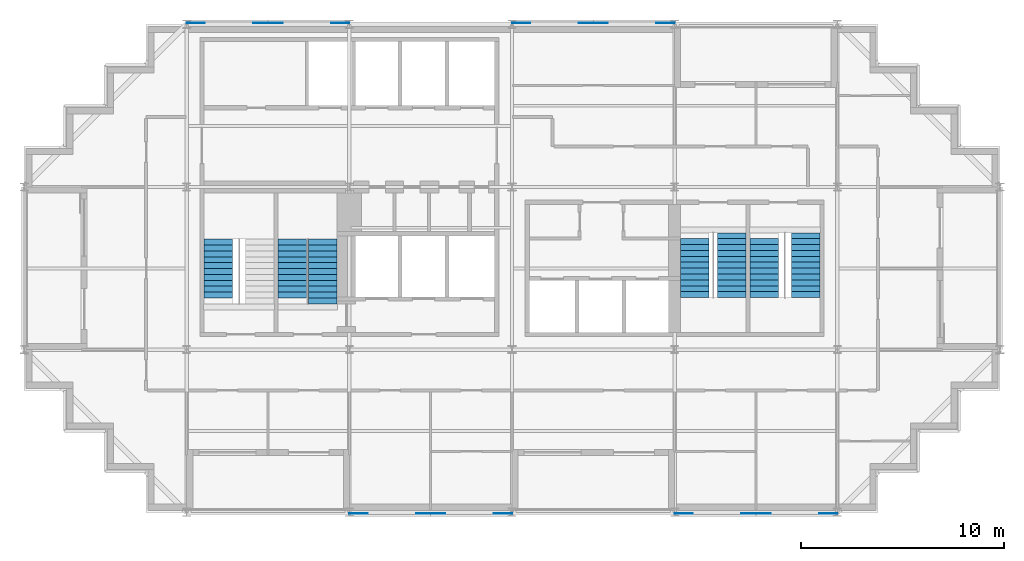
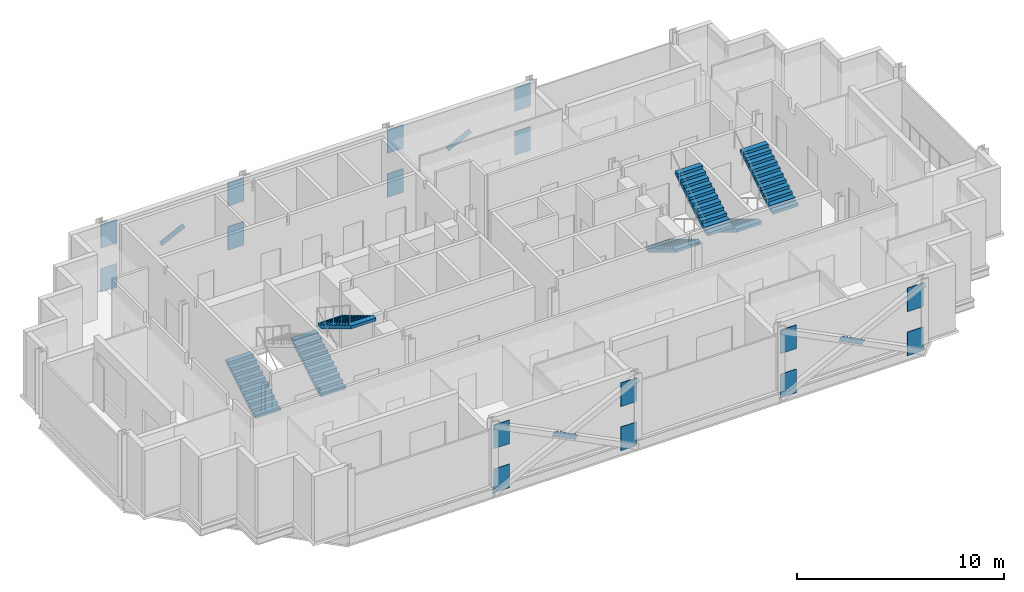
# One storey, part 8 of 9: 20 discrete accessories, 7 stair flights, 4 elements without a shape of their own.
"""IFC4 building model written with IfcOpenShell, lengths in metres."""

from ifc_helpers import new_model, si_unit, direction, frame, origin, origin_2d, place, context, subcontext, project, spatial, polyline, rectangle, outline, extrude, material, material_profile, profile_set, type_object, element, aggregate, save


model = new_model("IFC4")

# Units and contexts
model_context = context("Model", 3, precision=1e-05, world=origin(), true_north=direction((0.0, 1.0)))
body_context = subcontext(model_context, "Body", "Model", "MODEL_VIEW")
ifc_project = project(units=[si_unit("LENGTHUNIT", "METRE"), si_unit("AREAUNIT", "SQUARE_METRE"), si_unit("VOLUMEUNIT", "CUBIC_METRE"), si_unit("PLANEANGLEUNIT", "RADIAN"), si_unit("MASSUNIT", "GRAM", prefix="KILO")], contexts=[model_context])

# Site, building, storey
site_placement = place(None, origin())
site = spatial("IfcSite", under=ifc_project, at=site_placement, CompositionType="ELEMENT")
building_placement = place(site_placement, origin())
building = spatial("IfcBuilding", under=site, at=building_placement, Name="Immortelle Media Tower", CompositionType="ELEMENT")
storey_placement = place(building_placement, frame((0.0, 0.0, 225.0)))
storey = spatial("IfcBuildingStorey", under=building, at=storey_placement, Name="L48", CompositionType="ELEMENT", Elevation=225.0)

# Stair, stair flight
ifc_material_1 = material(Name="Steel ASTM A992 Gr 50", Category="steel")
stair_type = type_object("IfcStairType", Name="Stair with flights", PredefinedType="DOUBLE_RETURN_STAIR", material=ifc_material_1)
stair_1_placement = place(storey_placement, origin())
stair_1 = element("IfcStair", 1, at=stair_1_placement, inside=storey, type_object=stair_type, Name="Exit stair SW1", PredefinedType="DOUBLE_RETURN_STAIR")
stair_flight_type = type_object("IfcStairFlightType", Name="Stair flight 1400", PredefinedType="STRAIGHT", material=ifc_material_1)
stair_flight_1_placement = place(storey_placement, frame((9.550048828125, 10.5400390625, 0.0), z_axis=(0.0, 0.0, 1.0), x_axis=(0.0, 1.0, 0.0)))
stair_flight_1 = element("IfcStairFlight", 2, at=stair_flight_1_placement, type_object=stair_flight_type, Name="ST SW1 flight 1", NumberOfRisers=11, NumberOfTreads=10, PredefinedType="STRAIGHT", RiserHeight=0.173913043, TreadLength=0.29, context=body_context, shape_type="SweptSolid", body=[
    extrude(outline(polyline([(0.0, 0.0), (0.0, 0.173828125), (0.2900390625, 0.173828125), (0.2900390625, 0.347900390625), (0.580078125, 0.347900390625), (0.580078125, 0.521728515625), (0.8701171875, 0.521728515625), (0.8701171875, 0.695556640625), (1.159912109375, 0.695556640625), (1.159912109375, 0.86962890625), (1.449951171875, 0.86962890625), (1.449951171875, 1.04345703125), (1.739990234375, 1.04345703125), (1.739990234375, 1.21728515625), (2.030029296875, 1.21728515625), (2.030029296875, 1.391357421875), (2.320068359375, 1.391357421875), (2.320068359375, 1.565185546875), (2.610107421875, 1.565185546875), (2.610107421875, 1.739013671875), (2.89990234375, 1.739013671875), (2.89990234375, 1.9130859375), (2.89990234375, 1.564453125), (0.29150390625, 0.0), (0.0, 0.0)])), frame((0.0, 0.699951171875, 0.0), z_axis=(0.0, -1.0, 0.0), x_axis=(1.0, 0.0, 0.0)), (0.0, 0.0, 1.0), 1.39990234375),
])
aggregate(stair_1, [stair_flight_1])

# Stair, stair flights
stair_2_placement = place(storey_placement, origin())
stair_2 = element("IfcStair", 3, at=stair_2_placement, inside=storey, type_object=stair_type, Name="Exit stair SW2", PredefinedType="DOUBLE_RETURN_STAIR")
stair_flight_2_placement = place(storey_placement, frame((13.199951171875, 10.5400390625, 0.0), z_axis=(0.0, 0.0, 1.0), x_axis=(0.0, 1.0, 0.0)))
stair_flight_2 = element("IfcStairFlight", 4, at=stair_flight_2_placement, type_object=stair_flight_type, Name="ST SW2 flight 1", NumberOfRisers=11, NumberOfTreads=10, PredefinedType="STRAIGHT", RiserHeight=0.173913043, TreadLength=0.29, context=body_context, shape_type="SweptSolid", body=[
    extrude(outline(polyline([(0.0, 0.0), (0.0, 0.173828125), (0.2900390625, 0.173828125), (0.2900390625, 0.347900390625), (0.580078125, 0.347900390625), (0.580078125, 0.521728515625), (0.8701171875, 0.521728515625), (0.8701171875, 0.695556640625), (1.159912109375, 0.695556640625), (1.159912109375, 0.86962890625), (1.449951171875, 0.86962890625), (1.449951171875, 1.04345703125), (1.739990234375, 1.04345703125), (1.739990234375, 1.21728515625), (2.030029296875, 1.21728515625), (2.030029296875, 1.391357421875), (2.320068359375, 1.391357421875), (2.320068359375, 1.565185546875), (2.610107421875, 1.565185546875), (2.610107421875, 1.739013671875), (2.89990234375, 1.739013671875), (2.89990234375, 1.9130859375), (2.89990234375, 1.564453125), (0.29150390625, 0.0), (0.0, 0.0)])), frame((0.0, 0.699951171875, 0.0), z_axis=(0.0, -1.0, 0.0), x_axis=(1.0, 0.0, 0.0)), (0.0, 0.0, 1.0), 1.39990234375),
])
stair_flight_3_placement = place(storey_placement, frame((14.699951171875, 13.43994140625, 1.9130859375), z_axis=(0.0, 0.0, 1.0), x_axis=(0.0, -1.0, 0.0)))
stair_flight_3 = element("IfcStairFlight", 5, at=stair_flight_3_placement, type_object=stair_flight_type, Name="ST SW2 flight 2", NumberOfRisers=12, NumberOfTreads=11, PredefinedType="STRAIGHT", RiserHeight=0.173913043, TreadLength=0.29, context=body_context, shape_type="SweptSolid", body=[
    extrude(outline(polyline([(0.0, 0.0), (0.0, 0.173828125), (0.2900390625, 0.173828125), (0.2900390625, 0.347900390625), (0.580078125, 0.347900390625), (0.580078125, 0.521728515625), (0.8701171875, 0.521728515625), (0.8701171875, 0.695556640625), (1.159912109375, 0.695556640625), (1.159912109375, 0.86962890625), (1.449951171875, 0.86962890625), (1.449951171875, 1.04345703125), (1.739990234375, 1.04345703125), (1.739990234375, 1.21728515625), (2.030029296875, 1.21728515625), (2.030029296875, 1.391357421875), (2.320068359375, 1.391357421875), (2.320068359375, 1.565185546875), (2.610107421875, 1.565185546875), (2.610107421875, 1.739013671875), (2.89990234375, 1.739013671875), (2.89990234375, 1.9130859375), (3.18994140625, 1.9130859375), (3.18994140625, 2.0869140625), (3.18994140625, 1.73828125), (0.29150390625, 0.0), (0.0, 0.0)])), frame((0.0, 0.699951171875, 0.0), z_axis=(0.0, -1.0, 0.0), x_axis=(1.0, 0.0, 0.0)), (0.0, 0.0, 1.0), 1.39990234375),
])
aggregate(stair_2, [stair_flight_2, stair_flight_3])

stair_3_placement = place(storey_placement, origin())
stair_3 = element("IfcStair", 6, at=stair_3_placement, inside=storey, type_object=stair_type, Name="Exit stair SE1", PredefinedType="DOUBLE_RETURN_STAIR")
stair_flight_4_placement = place(storey_placement, frame((33.0, 13.4599609375, 0.0), z_axis=(0.0, 0.0, 1.0), x_axis=(0.0, -1.0, 0.0)))
stair_flight_4 = element("IfcStairFlight", 7, at=stair_flight_4_placement, type_object=stair_flight_type, Name="ST SE1 flight 1", NumberOfRisers=11, NumberOfTreads=10, PredefinedType="STRAIGHT", RiserHeight=0.173913043, TreadLength=0.29, context=body_context, shape_type="SweptSolid", body=[
    extrude(outline(polyline([(0.0, 0.0), (0.0, 0.173828125), (0.2900390625, 0.173828125), (0.2900390625, 0.347900390625), (0.580078125, 0.347900390625), (0.580078125, 0.521728515625), (0.8701171875, 0.521728515625), (0.8701171875, 0.695556640625), (1.159912109375, 0.695556640625), (1.159912109375, 0.86962890625), (1.449951171875, 0.86962890625), (1.449951171875, 1.04345703125), (1.739990234375, 1.04345703125), (1.739990234375, 1.21728515625), (2.030029296875, 1.21728515625), (2.030029296875, 1.391357421875), (2.320068359375, 1.391357421875), (2.320068359375, 1.565185546875), (2.610107421875, 1.565185546875), (2.610107421875, 1.739013671875), (2.89990234375, 1.739013671875), (2.89990234375, 1.9130859375), (2.89990234375, 1.564453125), (0.29150390625, 0.0), (0.0, 0.0)])), frame((0.0, 0.699951171875, 0.0), z_axis=(0.0, -1.0, 0.0), x_axis=(1.0, 0.0, 0.0)), (0.0, 0.0, 1.0), 1.39990234375),
])
stair_flight_5_placement = place(storey_placement, frame((34.800048828125, 10.56005859375, 1.9130859375), z_axis=(0.0, 0.0, 1.0), x_axis=(0.0, 1.0, 0.0)))
stair_flight_5 = element("IfcStairFlight", 8, at=stair_flight_5_placement, type_object=stair_flight_type, Name="ST SE1 flight 2", NumberOfRisers=12, NumberOfTreads=11, PredefinedType="STRAIGHT", RiserHeight=0.173913043, TreadLength=0.29, context=body_context, shape_type="SweptSolid", body=[
    extrude(outline(polyline([(0.0, 0.0), (0.0, 0.173828125), (0.2900390625, 0.173828125), (0.2900390625, 0.347900390625), (0.580078125, 0.347900390625), (0.580078125, 0.521728515625), (0.8701171875, 0.521728515625), (0.8701171875, 0.695556640625), (1.159912109375, 0.695556640625), (1.159912109375, 0.86962890625), (1.449951171875, 0.86962890625), (1.449951171875, 1.04345703125), (1.739990234375, 1.04345703125), (1.739990234375, 1.21728515625), (2.030029296875, 1.21728515625), (2.030029296875, 1.391357421875), (2.320068359375, 1.391357421875), (2.320068359375, 1.565185546875), (2.610107421875, 1.565185546875), (2.610107421875, 1.739013671875), (2.89990234375, 1.739013671875), (2.89990234375, 1.9130859375), (3.18994140625, 1.9130859375), (3.18994140625, 2.0869140625), (3.18994140625, 1.73828125), (0.29150390625, 0.0), (0.0, 0.0)])), frame((0.0, 0.699951171875, 0.0), z_axis=(0.0, -1.0, 0.0), x_axis=(1.0, 0.0, 0.0)), (0.0, 0.0, 1.0), 1.39990234375),
])
aggregate(stair_3, [stair_flight_4, stair_flight_5])

stair_4_placement = place(storey_placement, origin())
stair_4 = element("IfcStair", 9, at=stair_4_placement, inside=storey, type_object=stair_type, Name="Exit stair SE2", PredefinedType="DOUBLE_RETURN_STAIR")
stair_flight_6_placement = place(storey_placement, frame((36.39990234375, 13.4599609375, 0.0), z_axis=(0.0, 0.0, 1.0), x_axis=(0.0, -1.0, 0.0)))
stair_flight_6 = element("IfcStairFlight", 10, at=stair_flight_6_placement, type_object=stair_flight_type, Name="ST SE2 flight 1", NumberOfRisers=11, NumberOfTreads=10, PredefinedType="STRAIGHT", RiserHeight=0.173913043, TreadLength=0.29, context=body_context, shape_type="SweptSolid", body=[
    extrude(outline(polyline([(0.0, 0.0), (0.0, 0.173828125), (0.2900390625, 0.173828125), (0.2900390625, 0.347900390625), (0.580078125, 0.347900390625), (0.580078125, 0.521728515625), (0.8701171875, 0.521728515625), (0.8701171875, 0.695556640625), (1.159912109375, 0.695556640625), (1.159912109375, 0.86962890625), (1.449951171875, 0.86962890625), (1.449951171875, 1.04345703125), (1.739990234375, 1.04345703125), (1.739990234375, 1.21728515625), (2.030029296875, 1.21728515625), (2.030029296875, 1.391357421875), (2.320068359375, 1.391357421875), (2.320068359375, 1.565185546875), (2.610107421875, 1.565185546875), (2.610107421875, 1.739013671875), (2.89990234375, 1.739013671875), (2.89990234375, 1.9130859375), (2.89990234375, 1.564453125), (0.29150390625, 0.0), (0.0, 0.0)])), frame((0.0, 0.699951171875, 0.0), z_axis=(0.0, -1.0, 0.0), x_axis=(1.0, 0.0, 0.0)), (0.0, 0.0, 1.0), 1.39990234375),
])
stair_flight_7_placement = place(storey_placement, frame((38.449951171875, 10.56005859375, 1.9130859375), z_axis=(0.0, 0.0, 1.0), x_axis=(0.0, 1.0, 0.0)))
stair_flight_7 = element("IfcStairFlight", 11, at=stair_flight_7_placement, type_object=stair_flight_type, Name="ST SE2 flight 2", NumberOfRisers=12, NumberOfTreads=11, PredefinedType="STRAIGHT", RiserHeight=0.173913043, TreadLength=0.29, context=body_context, shape_type="SweptSolid", body=[
    extrude(outline(polyline([(0.0, 0.0), (0.0, 0.173828125), (0.2900390625, 0.173828125), (0.2900390625, 0.347900390625), (0.580078125, 0.347900390625), (0.580078125, 0.521728515625), (0.8701171875, 0.521728515625), (0.8701171875, 0.695556640625), (1.159912109375, 0.695556640625), (1.159912109375, 0.86962890625), (1.449951171875, 0.86962890625), (1.449951171875, 1.04345703125), (1.739990234375, 1.04345703125), (1.739990234375, 1.21728515625), (2.030029296875, 1.21728515625), (2.030029296875, 1.391357421875), (2.320068359375, 1.391357421875), (2.320068359375, 1.565185546875), (2.610107421875, 1.565185546875), (2.610107421875, 1.739013671875), (2.89990234375, 1.739013671875), (2.89990234375, 1.9130859375), (3.18994140625, 1.9130859375), (3.18994140625, 2.0869140625), (3.18994140625, 1.73828125), (0.29150390625, 0.0), (0.0, 0.0)])), frame((0.0, 0.699951171875, 0.0), z_axis=(0.0, -1.0, 0.0), x_axis=(1.0, 0.0, 0.0)), (0.0, 0.0, 1.0), 1.39990234375),
])
aggregate(stair_4, [stair_flight_6, stair_flight_7])

# Discrete accessories
ifc_material_2 = material(Name="Steel ASTM A572 Gr 50", Category="steel")
ifc_material_profile_1 = material_profile(ifc_material_2, rectangle(XDim=0.02392578125, YDim=0.304931640625, at=origin_2d()), Name="PL 24 x 305")
ifc_profile_set_1 = profile_set([ifc_material_profile_1], Name="Steel ASTM A572 Gr 50")
discrete_accessory_type_1 = type_object("IfcDiscreteAccessoryType", Name="Crossing plate XP-BR6 1450 x 305 x 24", PredefinedType="USERDEFINED", material=ifc_profile_set_1)
for number, where, z_axis, x_axis, name in (
    (12, (28.6484375, 24.0625, 1.8681640625), (-0.894427191, 0.0, -0.4472135955), (0.0, -1.0, 0.0), "Crossing plate XP-BR6 of Brace D/4-5 A and Brace D/4-5 B"),
    (13, (12.6484375, 24.0625, 1.8681640625), (-0.894427191, 0.0, -0.4472135955), (0.0, -1.0, 0.0), "Crossing plate XP-BR6 of Brace D/2-3 A and Brace D/2-3 B"),
    (14, (19.3515625, -0.0625, 1.8681640625), (0.894427191, 0.0, -0.4472135955), (0.0, 1.0, 0.0), "Crossing plate XP-BR6 of Brace A/3-4 A and Brace A/3-4 B"),
    (15, (35.3515625, -0.0625, 1.8681640625), (0.894427191, 0.0, -0.4472135955), (0.0, 1.0, 0.0), "Crossing plate XP-BR6 of Brace A/5-6 A and Brace A/5-6 B"),
):
    element("IfcDiscreteAccessory", number, at=place(storey_placement, frame(where, z_axis=z_axis, x_axis=x_axis)), inside=storey, type_object=discrete_accessory_type_1, Name=name, ObjectType="CROSSING PLATE", PredefinedType="USERDEFINED", context=body_context, shape_type="SweptSolid", body=[
        extrude(rectangle(XDim=0.02392578125, YDim=0.304931640625, at=origin_2d()), origin(), (0.0, 0.0, 1.0), 1.449951171875),
    ])
ifc_material_profile_2 = material_profile(ifc_material_2, rectangle(XDim=0.031982421875, YDim=1.39990234375, at=origin_2d()), Name="PL 32 x 1400")
ifc_profile_set_2 = profile_set([ifc_material_profile_2], Name="Steel ASTM A572 Gr 50")
discrete_accessory_type_2 = type_object("IfcDiscreteAccessoryType", Name="Gusset plate GP1 900 x 1400 x 32", PredefinedType="USERDEFINED", material=ifc_profile_set_2)
for number, where, z_axis, x_axis, name in (
    (16, (16.0, -0.0625, 0.243896484375), (1.0, 0.0, 0.0), (0.0, 1.0, 0.0), "Gusset plate GP1, lower end of Brace A/3-4 A"),
    (17, (24.0, -0.0625, 2.843994140625), (-1.0, 0.0, 0.0), (0.0, -1.0, 0.0), "Gusset plate GP1, upper end of Brace A/3-4 A"),
    (18, (24.0, -0.0625, 0.243896484375), (-1.0, 0.0, 0.0), (0.0, -1.0, 0.0), "Gusset plate GP1, lower end of Brace A/3-4 B"),
    (19, (16.0, -0.0625, 2.843994140625), (1.0, 0.0, 0.0), (0.0, 1.0, 0.0), "Gusset plate GP1, upper end of Brace A/3-4 B"),
    (20, (32.0, -0.0625, 0.243896484375), (1.0, 0.0, 0.0), (0.0, 1.0, 0.0), "Gusset plate GP1, lower end of Brace A/5-6 A"),
    (21, (40.0, -0.0625, 2.843994140625), (-1.0, 0.0, 0.0), (0.0, -1.0, 0.0), "Gusset plate GP1, upper end of Brace A/5-6 A"),
    (22, (40.0, -0.0625, 0.243896484375), (-1.0, 0.0, 0.0), (0.0, -1.0, 0.0), "Gusset plate GP1, lower end of Brace A/5-6 B"),
    (23, (32.0, -0.0625, 2.843994140625), (1.0, 0.0, 0.0), (0.0, 1.0, 0.0), "Gusset plate GP1, upper end of Brace A/5-6 B"),
    (24, (32.0, 24.0625, 0.243896484375), (-1.0, 0.0, 0.0), (0.0, -1.0, 0.0), "Gusset plate GP1, lower end of Brace D/4-5 A"),
    (25, (24.0, 24.0625, 2.843994140625), (1.0, 0.0, 0.0), (0.0, 1.0, 0.0), "Gusset plate GP1, upper end of Brace D/4-5 A"),
    (26, (24.0, 24.0625, 0.243896484375), (1.0, 0.0, 0.0), (0.0, 1.0, 0.0), "Gusset plate GP1, lower end of Brace D/4-5 B"),
    (27, (32.0, 24.0625, 2.843994140625), (-1.0, 0.0, 0.0), (0.0, -1.0, 0.0), "Gusset plate GP1, upper end of Brace D/4-5 B"),
    (28, (16.0, 24.0625, 0.243896484375), (-1.0, 0.0, 0.0), (0.0, -1.0, 0.0), "Gusset plate GP1, lower end of Brace D/2-3 A"),
    (29, (8.0, 24.0625, 2.843994140625), (1.0, 0.0, 0.0), (0.0, 1.0, 0.0), "Gusset plate GP1, upper end of Brace D/2-3 A"),
    (30, (8.0, 24.0625, 0.243896484375), (1.0, 0.0, 0.0), (0.0, 1.0, 0.0), "Gusset plate GP1, lower end of Brace D/2-3 B"),
    (31, (16.0, 24.0625, 2.843994140625), (-1.0, 0.0, 0.0), (0.0, -1.0, 0.0), "Gusset plate GP1, upper end of Brace D/2-3 B"),
):
    element("IfcDiscreteAccessory", number, at=place(storey_placement, frame(where, z_axis=z_axis, x_axis=x_axis)), inside=storey, type_object=discrete_accessory_type_2, Name=name, ObjectType="GUSSET PLATE", PredefinedType="USERDEFINED", context=body_context, shape_type="SweptSolid", body=[
        extrude(rectangle(XDim=0.031982421875, YDim=1.39990234375, at=origin_2d()), origin(), (0.0, 0.0, 1.0), 0.89990234375),
    ])

save(model, "model.ifc")
